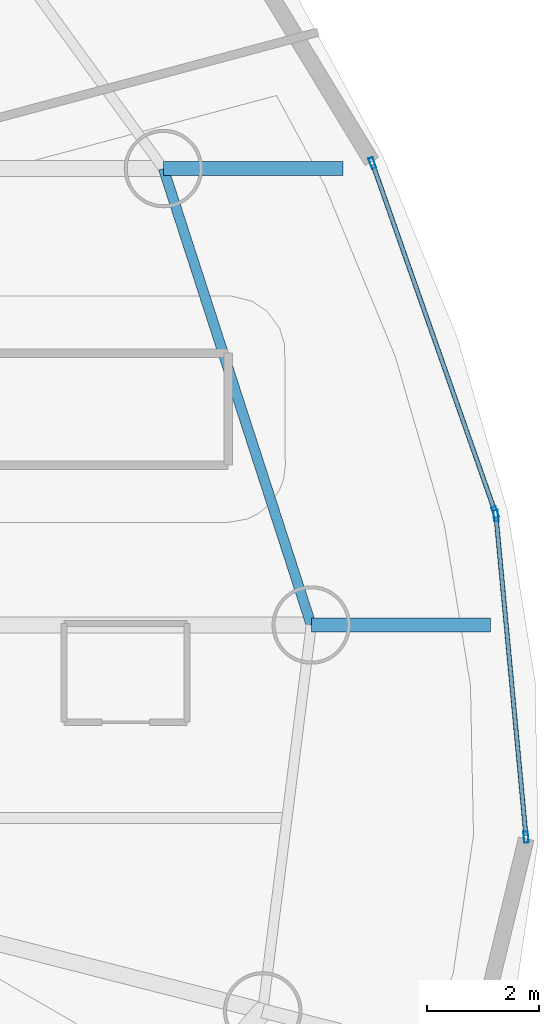
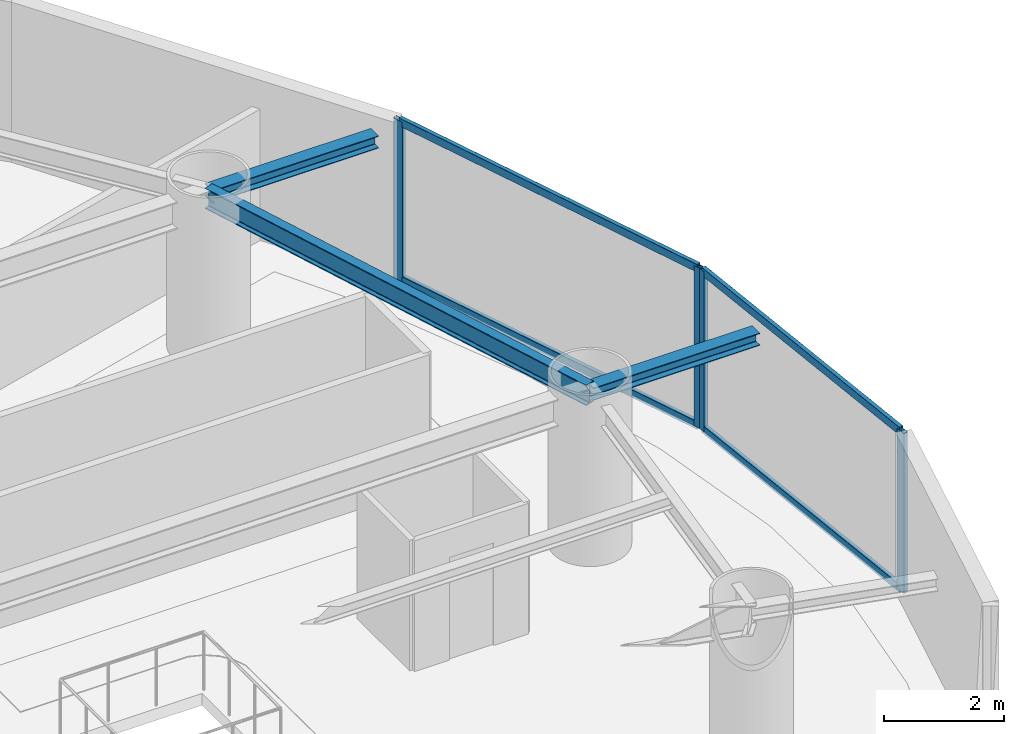
# One storey, part 9 of 20: 8 members, 3 beams, 2 elements without a shape of their own.
"""IFC4 building model written with IfcOpenShell, lengths in metres."""

from ifc_helpers import new_model, si_unit, direction, frame, origin, origin_2d, place, context, subcontext, project, spatial, hollow_rectangle, i_section, extrude, material, layer, layer_set, material_profile, profile_set, type_object, element, aggregate, save


model = new_model("IFC4")

# Units and contexts
model_context = context("Model", 3, precision=1e-05, world=origin(), true_north=direction((0.0, 1.0)))
body_context = subcontext(model_context, "Body", "Model", "MODEL_VIEW")
ifc_project = project(units=[si_unit("LENGTHUNIT", "METRE"), si_unit("AREAUNIT", "SQUARE_METRE"), si_unit("VOLUMEUNIT", "CUBIC_METRE"), si_unit("PLANEANGLEUNIT", "RADIAN"), si_unit("MASSUNIT", "GRAM", prefix="KILO")], contexts=[model_context])

# Site, building, storey
site_placement = place(None, origin())
site = spatial("IfcSite", under=ifc_project, at=site_placement, CompositionType="ELEMENT")
building_placement = place(site_placement, origin())
building = spatial("IfcBuilding", under=site, at=building_placement, Name="Bramvorn Convention Spire", CompositionType="ELEMENT")
storey_placement = place(building_placement, frame((0.0, 0.0, 130.800048828125)))
storey = spatial("IfcBuildingStorey", under=building, at=storey_placement, Name="L32", CompositionType="ELEMENT", Elevation=130.800048828125)

# Beams
ifc_material_1 = material(Name="Steel CSA G40.21 Grade 350 (350W)", Category="steel")
ifc_material_profile_1 = material_profile(ifc_material_1, i_section(OverallWidth=0.25390625, OverallDepth=0.2529296875, WebThickness=0.008544921875, FlangeThickness=0.01416015625, FilletRadius=0.011962890625, at=origin_2d()))
ifc_profile_set_1 = profile_set([ifc_material_profile_1], Name="Steel CSA G40.21 Grade 350 (350W) - W250X73")
beam_type_1 = type_object("IfcBeamType", Name="BM-W250X73", PredefinedType="BEAM", material=ifc_profile_set_1)
for number, where, z_axis, x_axis, name in (
    (1, (62.983642578125, 22.148193359375, 3.1083984375), (1.0, 0.0, 0.0), (0.0, 1.0, 0.0), "L32 slab-edge cantilever tip beam MC02"),
    (2, (60.345703125, 30.293212890625, 3.1083984375), (1.0, 0.0, 0.0), (0.0, 1.0, 0.0), "L32 slab-edge cantilever tip beam MC03"),
):
    element("IfcBeam", number, at=place(storey_placement, frame(where, z_axis=z_axis, x_axis=x_axis)), inside=storey, type_object=beam_type_1, Name=name, PredefinedType="BEAM", context=body_context, shape_type="SweptSolid", body=[
        extrude(i_section(OverallWidth=0.25390625, OverallDepth=0.2529296875, WebThickness=0.008544921875, FlangeThickness=0.01416015625, FilletRadius=0.011962890625, at=origin_2d()), origin(), (0.0, 0.0, 1.0), 3.199951171875),
    ])
ifc_material_profile_2 = material_profile(ifc_material_1, i_section(OverallWidth=0.180908203125, OverallDepth=0.4169921875, WebThickness=0.010986328125, FlangeThickness=0.018310546875, FilletRadius=0.01611328125, at=origin_2d()))
ifc_profile_set_2 = profile_set([ifc_material_profile_2], Name="Steel CSA G40.21 Grade 350 (350W) - W410X85")
beam_type_2 = type_object("IfcBeamType", Name="BM-W410X85", PredefinedType="JOIST", material=ifc_profile_set_2)
beam_placement = place(storey_placement, frame((62.983642578125, 22.148193359375, 3.051513671875), z_axis=(-0.308114853612, 0.951349166701, 0.0), x_axis=(-0.951349166701, -0.308114853612, 0.0)))
element("IfcBeam", 3, at=beam_placement, inside=storey, type_object=beam_type_2, Name="L32 mega-column ring beam 02", PredefinedType="JOIST", context=body_context, shape_type="SweptSolid", body=[
    extrude(i_section(OverallWidth=0.180908203125, OverallDepth=0.4169921875, WebThickness=0.010986328125, FlangeThickness=0.018310546875, FilletRadius=0.01611328125, at=origin_2d()), origin(), (0.0, 0.0, 1.0), 8.5615234375),
])

# Curtain wall, members
ifc_material_2 = material(Name="Anodised Bronze Unitised Curtain Wall", Category="aluminium")
ifc_layer = layer(ifc_material_2, 0.179931640625)
ifc_layer_set = layer_set([ifc_layer], Name="Anodised Bronze Unitised Curtain Wall - CW-HTL-FRIT")
curtain_wall_type = type_object("IfcCurtainWallType", Name="CW-HTL-FRIT", PredefinedType="USERDEFINED", material=ifc_layer_set)
curtain_wall_1_placement = place(storey_placement, origin())
curtain_wall_1 = element("IfcCurtainWall", 4, at=curtain_wall_1_placement, inside=storey, type_object=curtain_wall_type, Name="L32 fritted glass curtain wall 02", ObjectType="UNITISED CURTAIN WALL", PredefinedType="USERDEFINED")
ifc_material_3 = material(Name="Anodised Bronze Aluminium 6063-T6", Category="aluminium")
ifc_material_profile_3 = material_profile(ifc_material_3, hollow_rectangle(XDim=0.080078125, YDim=0.199951171875, WallThickness=0.00390625, InnerFilletRadius=0.0009765625, OuterFilletRadius=0.00390625, at=origin_2d()))
ifc_profile_set_3 = profile_set([ifc_material_profile_3], Name="Anodised Bronze Aluminium 6063-T6 - CWM80X200")
member_type_1 = type_object("IfcMemberType", Name="CW-MUL-180", PredefinedType="MULLION", material=ifc_profile_set_3)
member_1_placement = place(storey_placement, frame((66.27978515625, 24.1015625, 0.0), z_axis=(0.0, 0.0, 1.0), x_axis=(0.995655049629, 0.093118323373, 0.0)))
member_1 = element("IfcMember", 5, at=member_1_placement, type_object=member_type_1, Name="CW2 mullion 1", PredefinedType="MULLION", context=body_context, shape_type="SweptSolid", body=[
    extrude(hollow_rectangle(XDim=0.080078125, YDim=0.199951171875, WallThickness=0.00390625, InnerFilletRadius=0.0009765625, OuterFilletRadius=0.00390625, at=origin_2d()), origin(), (0.0, 0.0, 1.0), 3.260009765625),
])
member_2_placement = place(storey_placement, frame((66.81640625, 18.36376953125, 0.0), z_axis=(0.0, 0.0, 1.0), x_axis=(0.995655049629, 0.093118323373, 0.0)))
member_2 = element("IfcMember", 6, at=member_2_placement, type_object=member_type_1, Name="CW2 mullion 2", PredefinedType="MULLION", context=body_context, shape_type="SweptSolid", body=[
    extrude(hollow_rectangle(XDim=0.080078125, YDim=0.199951171875, WallThickness=0.00390625, InnerFilletRadius=0.0009765625, OuterFilletRadius=0.00390625, at=origin_2d()), origin(), (0.0, 0.0, 1.0), 3.260009765625),
])

curtain_wall_2_placement = place(storey_placement, origin())
curtain_wall_2 = element("IfcCurtainWall", 7, at=curtain_wall_2_placement, inside=storey, type_object=curtain_wall_type, Name="L32 fritted glass curtain wall 03", ObjectType="UNITISED CURTAIN WALL", PredefinedType="USERDEFINED")
member_3_placement = place(storey_placement, frame((64.074462890625, 30.390380859375, 0.0), z_axis=(0.0, 0.0, 1.0), x_axis=(0.94329655763, 0.331951207806, 0.0)))
member_3 = element("IfcMember", 8, at=member_3_placement, type_object=member_type_1, Name="CW2 mullion 1", PredefinedType="MULLION", context=body_context, shape_type="SweptSolid", body=[
    extrude(hollow_rectangle(XDim=0.080078125, YDim=0.199951171875, WallThickness=0.00390625, InnerFilletRadius=0.0009765625, OuterFilletRadius=0.00390625, at=origin_2d()), origin(), (0.0, 0.0, 1.0), 3.260009765625),
])
member_4_placement = place(storey_placement, frame((66.266845703125, 24.15966796875, 0.0), z_axis=(0.0, 0.0, 1.0), x_axis=(0.94329655763, 0.331951207806, 0.0)))
member_4 = element("IfcMember", 9, at=member_4_placement, type_object=member_type_1, Name="CW2 mullion 2", PredefinedType="MULLION", context=body_context, shape_type="SweptSolid", body=[
    extrude(hollow_rectangle(XDim=0.080078125, YDim=0.199951171875, WallThickness=0.00390625, InnerFilletRadius=0.0009765625, OuterFilletRadius=0.00390625, at=origin_2d()), origin(), (0.0, 0.0, 1.0), 3.260009765625),
])

# Member
ifc_material_profile_4 = material_profile(ifc_material_3, hollow_rectangle(XDim=0.080078125, YDim=0.159912109375, WallThickness=0.00390625, InnerFilletRadius=0.0009765625, OuterFilletRadius=0.00390625, at=origin_2d()))
ifc_profile_set_4 = profile_set([ifc_material_profile_4], Name="Anodised Bronze Aluminium 6063-T6 - CWT80X160")
member_type_2 = type_object("IfcMemberType", Name="CW-TRN-150", PredefinedType="USERDEFINED", material=ifc_profile_set_4)
member_5_placement = place(storey_placement, frame((66.282470703125, 24.07177734375, 0.030029296875), z_axis=(0.09311392815, -0.995655460681, 0.0), x_axis=(0.995655460681, 0.09311392815, 0.0)))
member_5 = element("IfcMember", 10, at=member_5_placement, type_object=member_type_2, Name="CW2 transom 1.1", ObjectType="TRANSOM", PredefinedType="USERDEFINED", context=body_context, shape_type="SweptSolid", body=[
    extrude(hollow_rectangle(XDim=0.080078125, YDim=0.159912109375, WallThickness=0.00390625, InnerFilletRadius=0.0009765625, OuterFilletRadius=0.00390625, at=origin_2d()), origin(), (0.0, 0.0, 1.0), 5.70263671875),
])

member_6_placement = place(storey_placement, frame((66.282470703125, 24.07177734375, 3.22998046875), z_axis=(0.09311392815, -0.995655460681, 0.0), x_axis=(0.995655460681, 0.09311392815, 0.0)))
member_6 = element("IfcMember", 11, at=member_6_placement, type_object=member_type_2, Name="CW2 transom 1.2", ObjectType="TRANSOM", PredefinedType="USERDEFINED", context=body_context, shape_type="SweptSolid", body=[
    extrude(hollow_rectangle(XDim=0.080078125, YDim=0.159912109375, WallThickness=0.00390625, InnerFilletRadius=0.0009765625, OuterFilletRadius=0.00390625, at=origin_2d()), origin(), (0.0, 0.0, 1.0), 5.70263671875),
])

aggregate(curtain_wall_1, [member_1, member_2, member_5, member_6])

member_7_placement = place(storey_placement, frame((64.084228515625, 30.362060546875, 0.030029296875), z_axis=(0.331973207983, -0.943288815359, 0.0), x_axis=(0.943288815359, 0.331973207983, 0.0)))
member_7 = element("IfcMember", 12, at=member_7_placement, type_object=member_type_2, Name="CW2 transom 1.1", ObjectType="TRANSOM", PredefinedType="USERDEFINED", context=body_context, shape_type="SweptSolid", body=[
    extrude(hollow_rectangle(XDim=0.080078125, YDim=0.159912109375, WallThickness=0.00390625, InnerFilletRadius=0.0009765625, OuterFilletRadius=0.00390625, at=origin_2d()), origin(), (0.0, 0.0, 1.0), 6.545166015625),
])

member_8_placement = place(storey_placement, frame((64.084228515625, 30.362060546875, 3.22998046875), z_axis=(0.331973207983, -0.943288815359, 0.0), x_axis=(0.943288815359, 0.331973207983, 0.0)))
member_8 = element("IfcMember", 13, at=member_8_placement, type_object=member_type_2, Name="CW2 transom 1.2", ObjectType="TRANSOM", PredefinedType="USERDEFINED", context=body_context, shape_type="SweptSolid", body=[
    extrude(hollow_rectangle(XDim=0.080078125, YDim=0.159912109375, WallThickness=0.00390625, InnerFilletRadius=0.0009765625, OuterFilletRadius=0.00390625, at=origin_2d()), origin(), (0.0, 0.0, 1.0), 6.545166015625),
])

aggregate(curtain_wall_2, [member_3, member_4, member_7, member_8])

save(model, "model.ifc")
